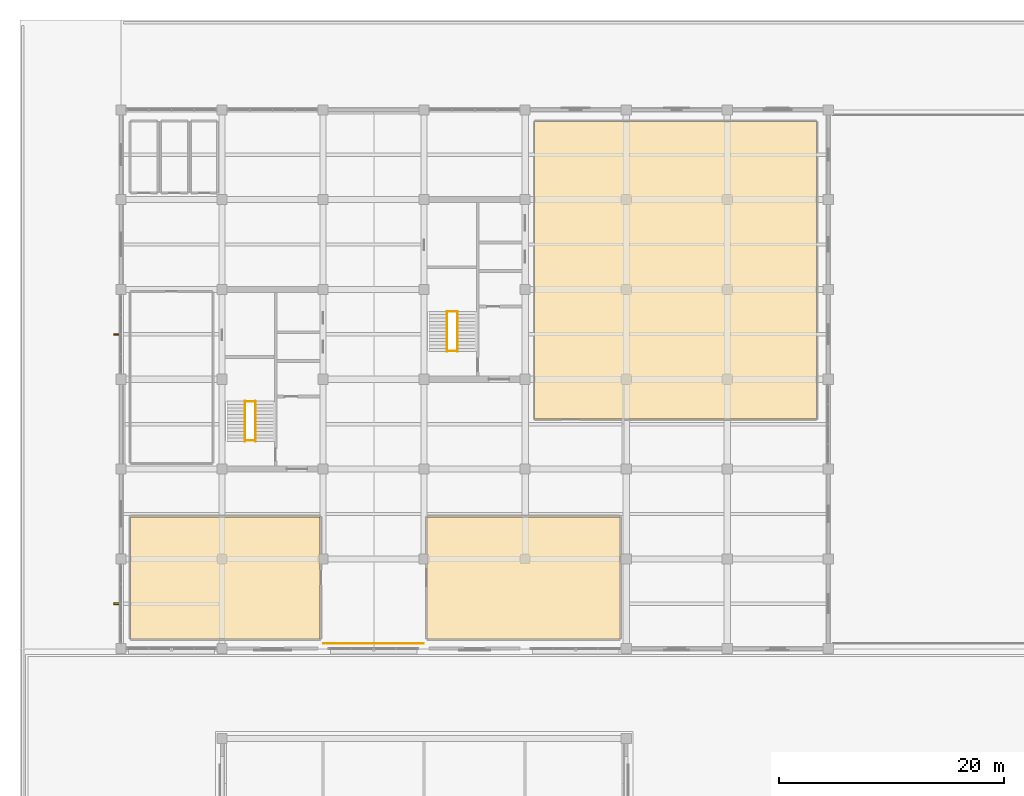
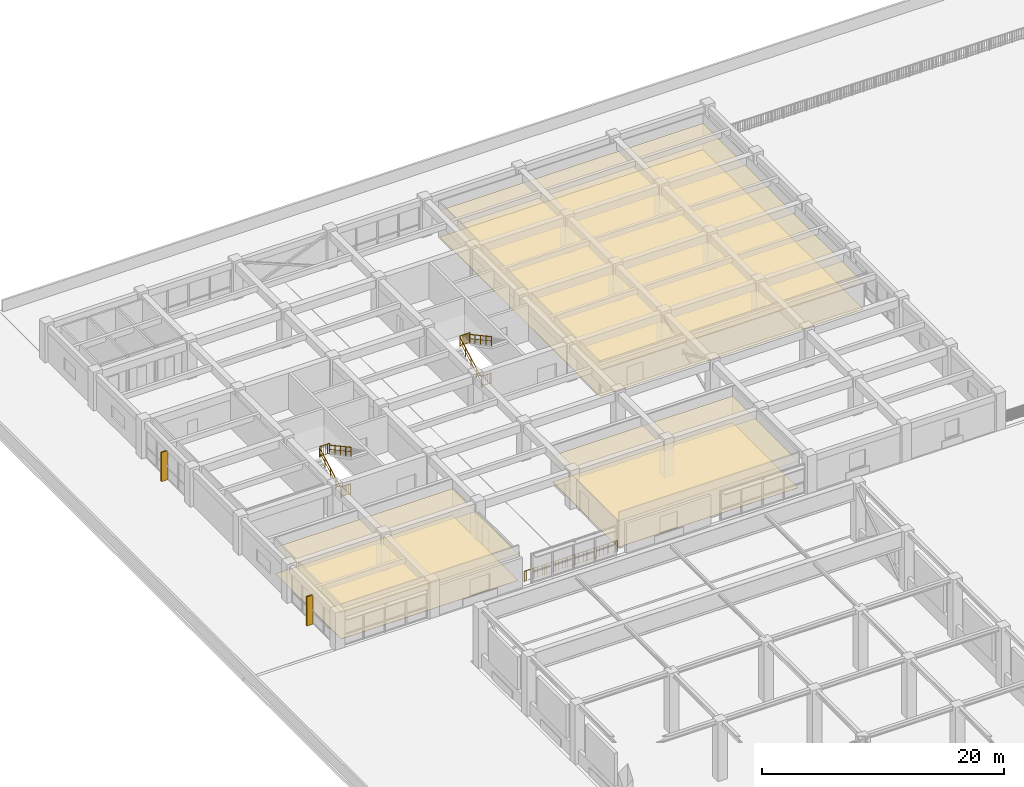
# One storey, part 32 of 34: 9 railings, 6 coverings, 2 shading devices.
"""IFC4 building model written with IfcOpenShell, lengths in metres."""

from ifc_helpers import new_model, si_unit, direction, frame, frame_2d, origin, origin_2d, place, context, subcontext, project, spatial, polyline, rectangle, circle, outline, extrude, material, layer, layer_set, type_object, element, save


model = new_model("IFC4")

# Units and contexts
model_context = context("Model", 3, precision=1e-05, world=origin(), true_north=direction((0.0, 1.0)))
body_context = subcontext(model_context, "Body", "Model", "MODEL_VIEW")
ifc_project = project(units=[si_unit("LENGTHUNIT", "METRE"), si_unit("AREAUNIT", "SQUARE_METRE"), si_unit("VOLUMEUNIT", "CUBIC_METRE"), si_unit("PLANEANGLEUNIT", "RADIAN"), si_unit("MASSUNIT", "GRAM", prefix="KILO")], contexts=[model_context])

# Site, building, storey
site_placement = place(None, origin())
site = spatial("IfcSite", under=ifc_project, at=site_placement, CompositionType="ELEMENT")
building_placement = place(site_placement, origin())
building = spatial("IfcBuilding", under=site, at=building_placement, Name="Zaverband Oceanarium and Marine Research Institute", CompositionType="ELEMENT")
storey_placement = place(building_placement, frame((0.0, 0.0, 18.0)))
storey = spatial("IfcBuildingStorey", under=building, at=storey_placement, Name="L04", CompositionType="ELEMENT", Elevation=18.0)

# Coverings
ifc_material_1 = material(Name="Perforated mineral-fibre acoustic ceiling tile")
ifc_layer_1 = layer(ifc_material_1, 0.02490234375, Name="Perforated mineral-fibre acoustic ceiling tile")
ifc_layer_set_1 = layer_set([ifc_layer_1], Name="Perforated mineral-fibre acoustic ceiling tile")
covering_type_1 = type_object("IfcCoveringType", Name="CLG-AC-15", PredefinedType="CEILING", material=ifc_layer_set_1)
covering_1_placement = place(storey_placement, frame((0.0, 0.0, 2.659912109375)))
element("IfcCovering", 1, at=covering_1_placement, inside=storey, type_object=covering_type_1, Name="Suspended acoustic ceiling CLG-AC-15", PredefinedType="CEILING", context=body_context, shape_type="SweptSolid", body=[
    extrude(outline(polyline([(9.864990234375, 64.864990234375), (26.735107421875, 64.864990234375), (26.735107421875, 75.735107421875), (9.864990234375, 75.735107421875), (9.864990234375, 64.864990234375)])), origin(), (0.0, 0.0, 1.0), 0.025146484375),
])
covering_2_placement = place(storey_placement, frame((0.0, 0.0, 2.659912109375)))
element("IfcCovering", 2, at=covering_2_placement, inside=storey, type_object=covering_type_1, Name="Suspended acoustic ceiling CLG-AC-15", PredefinedType="CEILING", context=body_context, shape_type="SweptSolid", body=[
    extrude(outline(polyline([(36.27001953125, 64.8701171875), (53.429931640625, 64.8701171875), (53.429931640625, 75.72998046875), (36.27001953125, 75.72998046875), (36.27001953125, 64.8701171875)])), origin(), (0.0, 0.0, 1.0), 0.025146484375),
])
covering_3_placement = place(storey_placement, frame((0.0, 0.0, 2.659912109375)))
element("IfcCovering", 3, at=covering_3_placement, inside=storey, type_object=covering_type_1, Name="Suspended acoustic ceiling CLG-AC-15", PredefinedType="CEILING", context=body_context, shape_type="SweptSolid", body=[
    extrude(outline(polyline([(45.85009765625, 84.449951171875), (70.949951171875, 84.449951171875), (70.949951171875, 110.949951171875), (45.85009765625, 110.949951171875), (45.85009765625, 84.449951171875)])), origin(), (0.0, 0.0, 1.0), 0.025146484375),
])
ifc_material_2 = material(Name="Polished marine terrazzo and seamless laboratory epoxy flooring")
ifc_layer_2 = layer(ifc_material_2, 0.02490234375, Name="Polished marine terrazzo and seamless laboratory epoxy flooring")
ifc_layer_set_2 = layer_set([ifc_layer_2], Name="Polished marine terrazzo and seamless laboratory epoxy flooring")
covering_type_2 = type_object("IfcCoveringType", Name="FLR-TRZ-20", PredefinedType="FLOORING", material=ifc_layer_set_2)
covering_4_placement = place(storey_placement, origin())
element("IfcCovering", 4, at=covering_4_placement, inside=storey, type_object=covering_type_2, Name="Terrazzo and marine epoxy floor finish FLR-TRZ-20", PredefinedType="FLOORING", context=body_context, shape_type="SweptSolid", body=[
    extrude(outline(polyline([(9.864990234375, 64.864990234375), (26.735107421875, 64.864990234375), (26.735107421875, 75.735107421875), (9.864990234375, 75.735107421875), (9.864990234375, 64.864990234375)])), origin(), (0.0, 0.0, 1.0), 0.02490234375),
])
covering_5_placement = place(storey_placement, origin())
element("IfcCovering", 5, at=covering_5_placement, inside=storey, type_object=covering_type_2, Name="Terrazzo and marine epoxy floor finish FLR-TRZ-20", PredefinedType="FLOORING", context=body_context, shape_type="SweptSolid", body=[
    extrude(outline(polyline([(36.27001953125, 64.8701171875), (53.429931640625, 64.8701171875), (53.429931640625, 75.72998046875), (36.27001953125, 75.72998046875), (36.27001953125, 64.8701171875)])), origin(), (0.0, 0.0, 1.0), 0.02490234375),
])
covering_6_placement = place(storey_placement, origin())
element("IfcCovering", 6, at=covering_6_placement, inside=storey, type_object=covering_type_2, Name="Terrazzo and marine epoxy floor finish FLR-TRZ-20", PredefinedType="FLOORING", context=body_context, shape_type="SweptSolid", body=[
    extrude(outline(polyline([(45.85009765625, 84.449951171875), (70.949951171875, 84.449951171875), (70.949951171875, 110.949951171875), (45.85009765625, 110.949951171875), (45.85009765625, 84.449951171875)])), origin(), (0.0, 0.0, 1.0), 0.02490234375),
])

# Railings
ifc_material_3 = material(Name="Steel S355", Category="steel")
ifc_layer_3 = layer(ifc_material_3, 0.06005859375, Name="Steel S355")
ifc_layer_set_3 = layer_set([ifc_layer_3], Name="Steel S355")
railing_type_1 = type_object("IfcRailingType", Name="GRD-1100", PredefinedType="BALUSTRADE", material=ifc_layer_set_3)
for number, where, name in (
    (7, (20.0400390625, 86.030029296875, 1.949951171875), "1100 mm steel post-and-baluster safety guard GRD-1100"),
    (8, (20.0400390625, 82.530029296875, 0.0), "1100 mm steel post-and-baluster safety guard GRD-1100"),
    (9, (38.0400390625, 94.030029296875, 1.949951171875), "1100 mm steel post-and-baluster safety guard GRD-1100"),
    (10, (38.0400390625, 90.530029296875, 0.0), "1100 mm steel post-and-baluster safety guard GRD-1100"),
):
    element("IfcRailing", number, at=place(storey_placement, frame(where)), inside=storey, type_object=railing_type_1, Name=name, PredefinedType="BALUSTRADE", context=body_context, shape_type="SweptSolid", body=[
        extrude(circle(Radius=0.02392578125, at=origin_2d()), frame((0.0, 0.0, 1.076171875), z_axis=(1.0, 0.0, 0.0), x_axis=(0.0, 1.0, 0.0)), (0.0, 0.0, 1.0), 0.919921875),
        extrude(circle(Radius=0.009033203125, at=origin_2d()), frame((0.0, 0.0, 0.10009765625), z_axis=(1.0, 0.0, 0.0), x_axis=(0.0, 1.0, 0.0)), (0.0, 0.0, 1.0), 0.919921875),
        extrude(circle(Radius=0.009033203125, at=origin_2d()), frame((0.18408203125, 0.0, 0.10009765625)), (0.0, 0.0, 1.0), 0.951904296875),
        extrude(circle(Radius=0.009033203125, at=origin_2d()), frame((0.367919921875, 0.0, 0.10009765625)), (0.0, 0.0, 1.0), 0.951904296875),
        extrude(circle(Radius=0.009033203125, at=origin_2d()), frame((0.552001953125, 0.0, 0.10009765625)), (0.0, 0.0, 1.0), 0.951904296875),
        extrude(circle(Radius=0.009033203125, at=origin_2d()), frame((0.73583984375, 0.0, 0.10009765625)), (0.0, 0.0, 1.0), 0.951904296875),
        extrude(circle(Radius=0.02099609375, at=origin_2d()), origin(), (0.0, 0.0, 1.0), 1.052001953125),
        extrude(circle(Radius=0.02099609375, at=origin_2d()), frame((0.919921875, 0.0, 0.0)), (0.0, 0.0, 1.0), 1.052001953125),
    ])
railing_1_placement = place(storey_placement, frame((27.050048828125, 64.449951171875, 0.0)))
element("IfcRailing", 11, at=railing_1_placement, inside=storey, type_object=railing_type_1, Name="1100 mm steel post-and-baluster safety guard GRD-1100", PredefinedType="BALUSTRADE", context=body_context, shape_type="SweptSolid", body=[
    extrude(circle(Radius=0.02392578125, at=origin_2d()), frame((0.0, 0.0, 1.076171875), z_axis=(1.0, 0.0, 0.0), x_axis=(0.0, 1.0, 0.0)), (0.0, 0.0, 1.0), 8.89990234375),
    extrude(circle(Radius=0.009033203125, at=origin_2d()), frame((0.0, 0.0, 0.10009765625), z_axis=(1.0, 0.0, 0.0), x_axis=(0.0, 1.0, 0.0)), (0.0, 0.0, 1.0), 8.89990234375),
    extrude(circle(Radius=0.009033203125, at=origin_2d()), frame((0.217041015625, 0.0, 0.10009765625)), (0.0, 0.0, 1.0), 0.951904296875),
    extrude(circle(Radius=0.009033203125, at=origin_2d()), frame((0.43408203125, 0.0, 0.10009765625)), (0.0, 0.0, 1.0), 0.951904296875),
    extrude(circle(Radius=0.009033203125, at=origin_2d()), frame((0.651123046875, 0.0, 0.10009765625)), (0.0, 0.0, 1.0), 0.951904296875),
    extrude(circle(Radius=0.009033203125, at=origin_2d()), frame((0.8681640625, 0.0, 0.10009765625)), (0.0, 0.0, 1.0), 0.951904296875),
    extrude(circle(Radius=0.009033203125, at=origin_2d()), frame((1.08544921875, 0.0, 0.10009765625)), (0.0, 0.0, 1.0), 0.951904296875),
    extrude(circle(Radius=0.009033203125, at=origin_2d()), frame((1.302490234375, 0.0, 0.10009765625)), (0.0, 0.0, 1.0), 0.951904296875),
    extrude(circle(Radius=0.009033203125, at=origin_2d()), frame((1.51953125, 0.0, 0.10009765625)), (0.0, 0.0, 1.0), 0.951904296875),
    extrude(circle(Radius=0.009033203125, at=origin_2d()), frame((1.736572265625, 0.0, 0.10009765625)), (0.0, 0.0, 1.0), 0.951904296875),
    extrude(circle(Radius=0.009033203125, at=origin_2d()), frame((1.95361328125, 0.0, 0.10009765625)), (0.0, 0.0, 1.0), 0.951904296875),
    extrude(circle(Radius=0.009033203125, at=origin_2d()), frame((2.170654296875, 0.0, 0.10009765625)), (0.0, 0.0, 1.0), 0.951904296875),
    extrude(circle(Radius=0.009033203125, at=origin_2d()), frame((2.3876953125, 0.0, 0.10009765625)), (0.0, 0.0, 1.0), 0.951904296875),
    extrude(circle(Radius=0.009033203125, at=origin_2d()), frame((2.604736328125, 0.0, 0.10009765625)), (0.0, 0.0, 1.0), 0.951904296875),
    extrude(circle(Radius=0.009033203125, at=origin_2d()), frame((2.822021484375, 0.0, 0.10009765625)), (0.0, 0.0, 1.0), 0.951904296875),
    extrude(circle(Radius=0.009033203125, at=origin_2d()), frame((3.0390625, 0.0, 0.10009765625)), (0.0, 0.0, 1.0), 0.951904296875),
    extrude(circle(Radius=0.009033203125, at=origin_2d()), frame((3.256103515625, 0.0, 0.10009765625)), (0.0, 0.0, 1.0), 0.951904296875),
    extrude(circle(Radius=0.009033203125, at=origin_2d()), frame((3.47314453125, 0.0, 0.10009765625)), (0.0, 0.0, 1.0), 0.951904296875),
    extrude(circle(Radius=0.009033203125, at=origin_2d()), frame((3.690185546875, 0.0, 0.10009765625)), (0.0, 0.0, 1.0), 0.951904296875),
    extrude(circle(Radius=0.009033203125, at=origin_2d()), frame((3.9072265625, 0.0, 0.10009765625)), (0.0, 0.0, 1.0), 0.951904296875),
    extrude(circle(Radius=0.009033203125, at=origin_2d()), frame((4.124267578125, 0.0, 0.10009765625)), (0.0, 0.0, 1.0), 0.951904296875),
    extrude(circle(Radius=0.009033203125, at=origin_2d()), frame((4.34130859375, 0.0, 0.10009765625)), (0.0, 0.0, 1.0), 0.951904296875),
    extrude(circle(Radius=0.009033203125, at=origin_2d()), frame((4.55859375, 0.0, 0.10009765625)), (0.0, 0.0, 1.0), 0.951904296875),
    extrude(circle(Radius=0.009033203125, at=origin_2d()), frame((4.775634765625, 0.0, 0.10009765625)), (0.0, 0.0, 1.0), 0.951904296875),
    extrude(circle(Radius=0.009033203125, at=origin_2d()), frame((4.99267578125, 0.0, 0.10009765625)), (0.0, 0.0, 1.0), 0.951904296875),
    extrude(circle(Radius=0.009033203125, at=origin_2d()), frame((5.209716796875, 0.0, 0.10009765625)), (0.0, 0.0, 1.0), 0.951904296875),
    extrude(circle(Radius=0.009033203125, at=origin_2d()), frame((5.4267578125, 0.0, 0.10009765625)), (0.0, 0.0, 1.0), 0.951904296875),
    extrude(circle(Radius=0.009033203125, at=origin_2d()), frame((5.643798828125, 0.0, 0.10009765625)), (0.0, 0.0, 1.0), 0.951904296875),
    extrude(circle(Radius=0.009033203125, at=origin_2d()), frame((5.86083984375, 0.0, 0.10009765625)), (0.0, 0.0, 1.0), 0.951904296875),
    extrude(circle(Radius=0.009033203125, at=origin_2d()), frame((6.077880859375, 0.0, 0.10009765625)), (0.0, 0.0, 1.0), 0.951904296875),
    extrude(circle(Radius=0.009033203125, at=origin_2d()), frame((6.295166015625, 0.0, 0.10009765625)), (0.0, 0.0, 1.0), 0.951904296875),
    extrude(circle(Radius=0.009033203125, at=origin_2d()), frame((6.51220703125, 0.0, 0.10009765625)), (0.0, 0.0, 1.0), 0.951904296875),
    extrude(circle(Radius=0.009033203125, at=origin_2d()), frame((6.729248046875, 0.0, 0.10009765625)), (0.0, 0.0, 1.0), 0.951904296875),
    extrude(circle(Radius=0.009033203125, at=origin_2d()), frame((6.9462890625, 0.0, 0.10009765625)), (0.0, 0.0, 1.0), 0.951904296875),
    extrude(circle(Radius=0.009033203125, at=origin_2d()), frame((7.163330078125, 0.0, 0.10009765625)), (0.0, 0.0, 1.0), 0.951904296875),
    extrude(circle(Radius=0.009033203125, at=origin_2d()), frame((7.38037109375, 0.0, 0.10009765625)), (0.0, 0.0, 1.0), 0.951904296875),
    extrude(circle(Radius=0.009033203125, at=origin_2d()), frame((7.597412109375, 0.0, 0.10009765625)), (0.0, 0.0, 1.0), 0.951904296875),
    extrude(circle(Radius=0.009033203125, at=origin_2d()), frame((7.814453125, 0.0, 0.10009765625)), (0.0, 0.0, 1.0), 0.951904296875),
    extrude(circle(Radius=0.009033203125, at=origin_2d()), frame((8.03173828125, 0.0, 0.10009765625)), (0.0, 0.0, 1.0), 0.951904296875),
    extrude(circle(Radius=0.009033203125, at=origin_2d()), frame((8.248779296875, 0.0, 0.10009765625)), (0.0, 0.0, 1.0), 0.951904296875),
    extrude(circle(Radius=0.009033203125, at=origin_2d()), frame((8.4658203125, 0.0, 0.10009765625)), (0.0, 0.0, 1.0), 0.951904296875),
    extrude(circle(Radius=0.009033203125, at=origin_2d()), frame((8.682861328125, 0.0, 0.10009765625)), (0.0, 0.0, 1.0), 0.951904296875),
    extrude(circle(Radius=0.02099609375, at=origin_2d()), origin(), (0.0, 0.0, 1.0), 1.052001953125),
    extrude(circle(Radius=0.02099609375, at=origin_2d()), frame((0.98876953125, 0.0, 0.0)), (0.0, 0.0, 1.0), 1.052001953125),
    extrude(circle(Radius=0.02099609375, at=origin_2d()), frame((1.977783203125, 0.0, 0.0)), (0.0, 0.0, 1.0), 1.052001953125),
    extrude(circle(Radius=0.02099609375, at=origin_2d()), frame((2.966552734375, 0.0, 0.0)), (0.0, 0.0, 1.0), 1.052001953125),
    extrude(circle(Radius=0.02099609375, at=origin_2d()), frame((3.95556640625, 0.0, 0.0)), (0.0, 0.0, 1.0), 1.052001953125),
    extrude(circle(Radius=0.02099609375, at=origin_2d()), frame((4.9443359375, 0.0, 0.0)), (0.0, 0.0, 1.0), 1.052001953125),
    extrude(circle(Radius=0.02099609375, at=origin_2d()), frame((5.933349609375, 0.0, 0.0)), (0.0, 0.0, 1.0), 1.052001953125),
    extrude(circle(Radius=0.02099609375, at=origin_2d()), frame((6.922119140625, 0.0, 0.0)), (0.0, 0.0, 1.0), 1.052001953125),
    extrude(circle(Radius=0.02099609375, at=origin_2d()), frame((7.9111328125, 0.0, 0.0)), (0.0, 0.0, 1.0), 1.052001953125),
    extrude(circle(Radius=0.02099609375, at=origin_2d()), frame((8.89990234375, 0.0, 0.0)), (0.0, 0.0, 1.0), 1.052001953125),
])
ifc_layer_4 = layer(ifc_material_3, 0.050048828125, Name="Steel S355")
ifc_layer_set_4 = layer_set([ifc_layer_4], Name="Steel S355")
railing_type_2 = type_object("IfcRailingType", Name="HR-920", PredefinedType="HANDRAIL", material=ifc_layer_set_4)
railing_2_placement = place(storey_placement, frame((20.0400390625, 82.449951171875, 0.0)))
element("IfcRailing", 12, at=railing_2_placement, inside=storey, type_object=railing_type_2, Name="920 mm continuous tubular stair and ramp handrail HR-920", PredefinedType="HANDRAIL", context=body_context, shape_type="SweptSolid", body=[
    extrude(circle(Radius=0.02392578125, at=origin_2d()), frame((0.0, 0.0, 0.89599609375), z_axis=(0.0, 0.879302371543, 0.476263938798), x_axis=(-1.0, 0.0, 0.0)), (0.0, 0.0, 1.0), 4.09423828125),
    extrude(circle(Radius=0.009033203125, at=origin_2d()), frame((0.0, 0.0, 0.4599609375), z_axis=(0.0, 0.879302371543, 0.476263938798), x_axis=(-1.0, 0.0, 0.0)), (0.0, 0.0, 1.0), 4.09423828125),
    extrude(circle(Radius=0.02099609375, at=origin_2d()), origin(), (0.0, 0.0, 1.0), 0.871826171875),
    extrude(circle(Radius=0.02099609375, at=origin_2d()), frame((0.0, 0.89990234375, 0.487548828125)), (0.0, 0.0, 1.0), 0.871826171875),
    extrude(circle(Radius=0.02099609375, at=origin_2d()), frame((0.0, 1.800048828125, 0.97509765625)), (0.0, 0.0, 1.0), 0.871826171875),
    extrude(circle(Radius=0.02099609375, at=origin_2d()), frame((0.0, 2.7001953125, 1.46240234375)), (0.0, 0.0, 1.0), 0.871826171875),
    extrude(circle(Radius=0.02099609375, at=origin_2d()), frame((0.0, 3.60009765625, 1.949951171875)), (0.0, 0.0, 1.0), 0.871826171875),
])
railing_3_placement = place(storey_placement, frame((20.9599609375, 86.050048828125, 1.949951171875)))
element("IfcRailing", 13, at=railing_3_placement, inside=storey, type_object=railing_type_2, Name="920 mm continuous tubular stair and ramp handrail HR-920", PredefinedType="HANDRAIL", context=body_context, shape_type="SweptSolid", body=[
    extrude(circle(Radius=0.02392578125, at=origin_2d()), frame((0.0, 0.0, 0.89599609375), z_axis=(0.0, -0.879302371543, 0.476263938798), x_axis=(1.0, 0.0, 0.0)), (0.0, 0.0, 1.0), 4.09423828125),
    extrude(circle(Radius=0.009033203125, at=origin_2d()), frame((0.0, 0.0, 0.4599609375), z_axis=(0.0, -0.879302371543, 0.476263938798), x_axis=(1.0, 0.0, 0.0)), (0.0, 0.0, 1.0), 4.09423828125),
    extrude(circle(Radius=0.02099609375, at=origin_2d()), origin(), (0.0, 0.0, 1.0), 0.871826171875),
    extrude(circle(Radius=0.02099609375, at=origin_2d()), frame((0.0, -0.89990234375, 0.487548828125)), (0.0, 0.0, 1.0), 0.871826171875),
    extrude(circle(Radius=0.02099609375, at=origin_2d()), frame((0.0, -1.800048828125, 0.97509765625)), (0.0, 0.0, 1.0), 0.871826171875),
    extrude(circle(Radius=0.02099609375, at=origin_2d()), frame((0.0, -2.7001953125, 1.46240234375)), (0.0, 0.0, 1.0), 0.871826171875),
    extrude(circle(Radius=0.02099609375, at=origin_2d()), frame((0.0, -3.60009765625, 1.949951171875)), (0.0, 0.0, 1.0), 0.871826171875),
])
railing_4_placement = place(storey_placement, frame((38.0400390625, 90.449951171875, 0.0)))
element("IfcRailing", 14, at=railing_4_placement, inside=storey, type_object=railing_type_2, Name="920 mm continuous tubular stair and ramp handrail HR-920", PredefinedType="HANDRAIL", context=body_context, shape_type="SweptSolid", body=[
    extrude(circle(Radius=0.02392578125, at=origin_2d()), frame((0.0, 0.0, 0.89599609375), z_axis=(0.0, 0.879302371543, 0.476263938798), x_axis=(-1.0, 0.0, 0.0)), (0.0, 0.0, 1.0), 4.09423828125),
    extrude(circle(Radius=0.009033203125, at=origin_2d()), frame((0.0, 0.0, 0.4599609375), z_axis=(0.0, 0.879302371543, 0.476263938798), x_axis=(-1.0, 0.0, 0.0)), (0.0, 0.0, 1.0), 4.09423828125),
    extrude(circle(Radius=0.02099609375, at=origin_2d()), origin(), (0.0, 0.0, 1.0), 0.871826171875),
    extrude(circle(Radius=0.02099609375, at=origin_2d()), frame((0.0, 0.89990234375, 0.487548828125)), (0.0, 0.0, 1.0), 0.871826171875),
    extrude(circle(Radius=0.02099609375, at=origin_2d()), frame((0.0, 1.800048828125, 0.97509765625)), (0.0, 0.0, 1.0), 0.871826171875),
    extrude(circle(Radius=0.02099609375, at=origin_2d()), frame((0.0, 2.7001953125, 1.46240234375)), (0.0, 0.0, 1.0), 0.871826171875),
    extrude(circle(Radius=0.02099609375, at=origin_2d()), frame((0.0, 3.60009765625, 1.949951171875)), (0.0, 0.0, 1.0), 0.871826171875),
])
railing_5_placement = place(storey_placement, frame((38.9599609375, 94.050048828125, 1.949951171875)))
element("IfcRailing", 15, at=railing_5_placement, inside=storey, type_object=railing_type_2, Name="920 mm continuous tubular stair and ramp handrail HR-920", PredefinedType="HANDRAIL", context=body_context, shape_type="SweptSolid", body=[
    extrude(circle(Radius=0.02392578125, at=origin_2d()), frame((0.0, 0.0, 0.89599609375), z_axis=(0.0, -0.879302371543, 0.476263938798), x_axis=(1.0, 0.0, 0.0)), (0.0, 0.0, 1.0), 4.09423828125),
    extrude(circle(Radius=0.009033203125, at=origin_2d()), frame((0.0, 0.0, 0.4599609375), z_axis=(0.0, -0.879302371543, 0.476263938798), x_axis=(1.0, 0.0, 0.0)), (0.0, 0.0, 1.0), 4.09423828125),
    extrude(circle(Radius=0.02099609375, at=origin_2d()), origin(), (0.0, 0.0, 1.0), 0.871826171875),
    extrude(circle(Radius=0.02099609375, at=origin_2d()), frame((0.0, -0.89990234375, 0.487548828125)), (0.0, 0.0, 1.0), 0.871826171875),
    extrude(circle(Radius=0.02099609375, at=origin_2d()), frame((0.0, -1.800048828125, 0.97509765625)), (0.0, 0.0, 1.0), 0.871826171875),
    extrude(circle(Radius=0.02099609375, at=origin_2d()), frame((0.0, -2.7001953125, 1.46240234375)), (0.0, 0.0, 1.0), 0.871826171875),
    extrude(circle(Radius=0.02099609375, at=origin_2d()), frame((0.0, -3.60009765625, 1.949951171875)), (0.0, 0.0, 1.0), 0.871826171875),
])

# Shading devices
ifc_material_4 = material(Name="Concrete C40/50 precast brise-soleil", Category="concrete")
ifc_layer_5 = layer(ifc_material_4, 0.139892578125, Name="Concrete C40/50 precast brise-soleil")
ifc_layer_set_5 = layer_set([ifc_layer_5], Name="Concrete C40/50 precast brise-soleil")
shading_device_type = type_object("IfcShadingDeviceType", Name="SHD-FIN-600", PredefinedType="JALOUSIE", material=ifc_layer_set_5)
for number, where, z_axis, x_axis, name in (
    (16, (8.93994140625, 68.0, 0.0), (0.0, 0.0, 1.0), (-1.0, 0.0, 0.0), "600 mm vertical precast brise-soleil fin SHD-FIN-600"),
    (17, (8.93994140625, 92.0, 0.0), (0.0, 0.0, 1.0), (-1.0, 0.0, 0.0), "600 mm vertical precast brise-soleil fin SHD-FIN-600"),
):
    element("IfcShadingDevice", number, at=place(storey_placement, frame(where, z_axis=z_axis, x_axis=x_axis)), inside=storey, type_object=shading_device_type, Name=name, PredefinedType="JALOUSIE", context=body_context, shape_type="SweptSolid", body=[
        extrude(rectangle(XDim=0.599853515625, YDim=0.139892578125, at=frame_2d((0.2998046875, 0.0))), origin(), (0.0, 0.0, 1.0), 2.929931640625),
    ])

save(model, "model.ifc")
